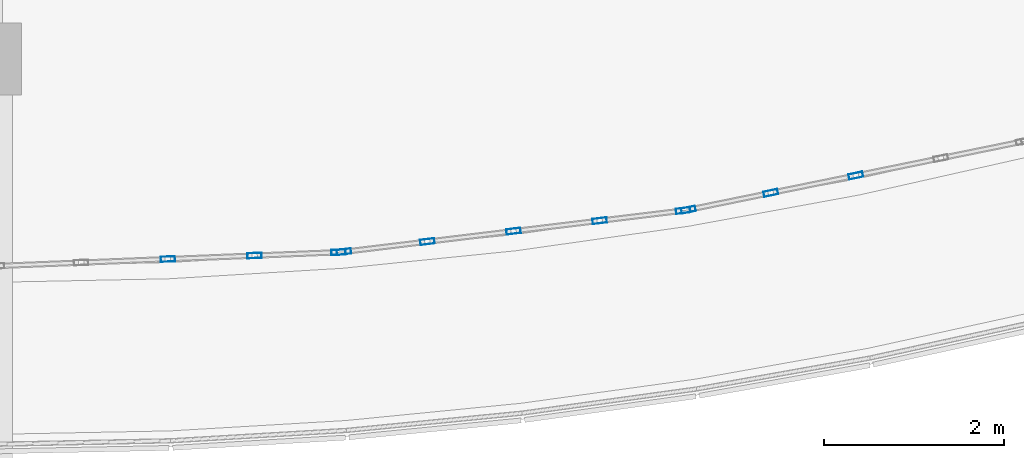
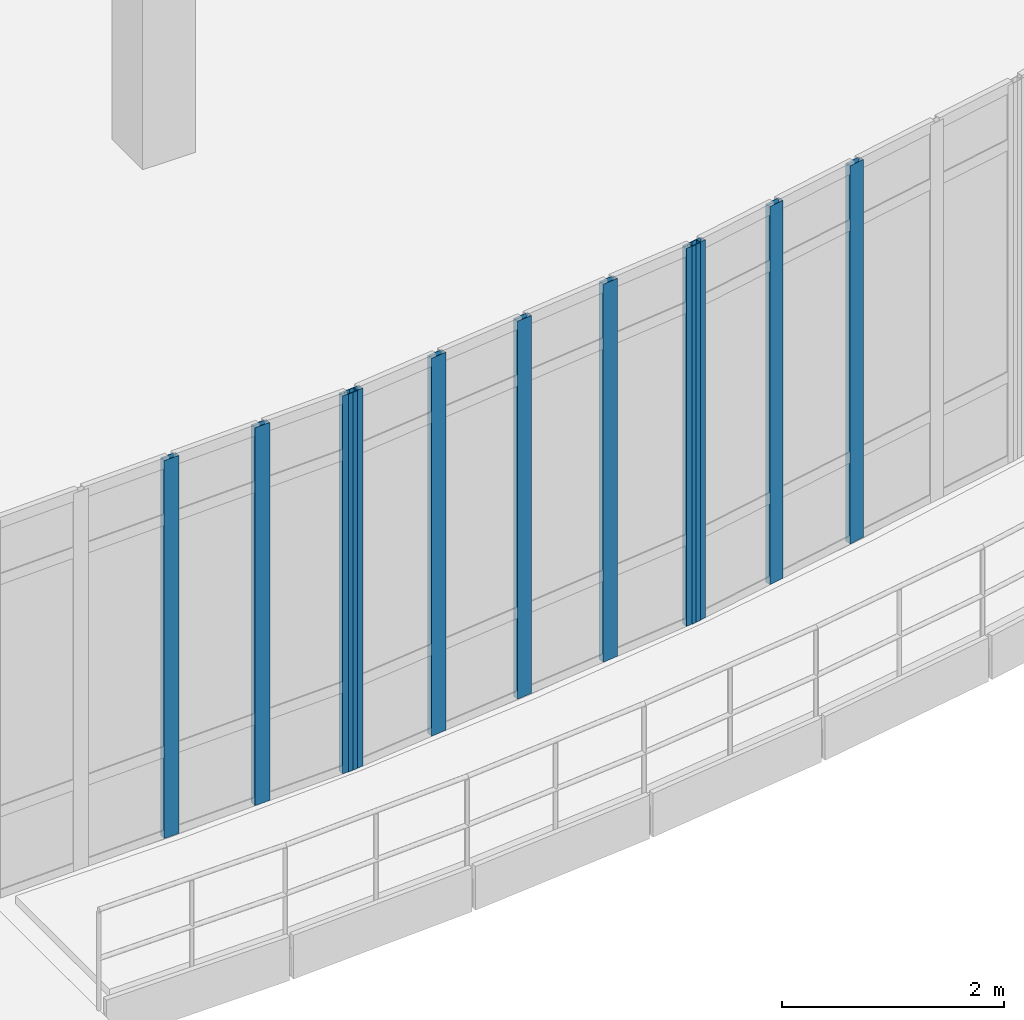
# One storey, part 31 of 124: 11 members, 3 elements without a shape of their own.
"""IFC4 building model written with IfcOpenShell, lengths in metres."""

from ifc_helpers import new_model, si_unit, direction, frame, origin, origin_2d, place, context, subcontext, project, spatial, hollow_rectangle, extrude, material, material_profile, profile_set, type_object, element, aggregate, save


model = new_model("IFC4")

# Units and contexts
model_context = context("Model", 3, precision=1e-05, world=origin(), true_north=direction((0.0, 1.0)))
body_context = subcontext(model_context, "Body", "Model", "MODEL_VIEW")
ifc_project = project(units=[si_unit("LENGTHUNIT", "METRE"), si_unit("AREAUNIT", "SQUARE_METRE"), si_unit("VOLUMEUNIT", "CUBIC_METRE"), si_unit("PLANEANGLEUNIT", "RADIAN"), si_unit("MASSUNIT", "GRAM", prefix="KILO")], contexts=[model_context])

# Site, building, storey
site_placement = place(None, origin())
site = spatial("IfcSite", under=ifc_project, at=site_placement, CompositionType="ELEMENT")
building_placement = place(site_placement, origin())
building = spatial("IfcBuilding", under=site, at=building_placement, Name="Kalluvel Institute of Natural Sciences", CompositionType="ELEMENT")
storey_placement = place(building_placement, frame((0.0, 0.0, 9.89990234375)))
storey = spatial("IfcBuildingStorey", under=building, at=storey_placement, Name="L02", CompositionType="ELEMENT", Elevation=9.89990234375)

# Curtain wall, members
ifc_material = material(Name="Aluminium AW-6063 T6", Category="aluminium")
curtain_wall_type = type_object("IfcCurtainWallType", Name="CW-ATR-ARC", PredefinedType="USERDEFINED", material=ifc_material)
curtain_wall_1_placement = place(storey_placement, origin())
curtain_wall_1 = element("IfcCurtainWall", 1, at=curtain_wall_1_placement, inside=storey, type_object=curtain_wall_type, Name="L02 Gothic lancet curtain wall CWA-L02-X356-Y549", ObjectType="UNITISED LANCET FACADE", PredefinedType="USERDEFINED")
ifc_material_profile = material_profile(ifc_material, hollow_rectangle(XDim=0.06005859375, YDim=0.159912109375, WallThickness=0.00390625, at=origin_2d()), Name="CWM 60x160")
ifc_profile_set = profile_set([ifc_material_profile], Name="Aluminium AW-6063 T6")
member_type = type_object("IfcMemberType", Name="CWM-60x160", PredefinedType="MULLION", material=ifc_profile_set)
member_1_placement = place(storey_placement, frame((37.527099609375, 54.9775390625, 0.0), z_axis=(0.0, 0.0, 1.0), x_axis=(-0.040259992374, 0.999189237839, 0.0)))
member_1 = element("IfcMember", 2, at=member_1_placement, type_object=member_type, Name="CW-05 mullion 3", PredefinedType="MULLION", context=body_context, shape_type="SweptSolid", body=[
    extrude(hollow_rectangle(XDim=0.06005859375, YDim=0.159912109375, WallThickness=0.00390625, at=origin_2d()), origin(), (0.0, 0.0, 1.0), 4.150146484375),
])
member_2_placement = place(storey_placement, frame((38.49072265625, 55.016357421875, 0.0), z_axis=(0.0, 0.0, 1.0), x_axis=(-0.040259992374, 0.999189237839, 0.0)))
member_2 = element("IfcMember", 3, at=member_2_placement, type_object=member_type, Name="CW-05 mullion 4", PredefinedType="MULLION", context=body_context, shape_type="SweptSolid", body=[
    extrude(hollow_rectangle(XDim=0.06005859375, YDim=0.159912109375, WallThickness=0.00390625, at=origin_2d()), origin(), (0.0, 0.0, 1.0), 4.150146484375),
])
member_3_placement = place(storey_placement, frame((39.42431640625, 55.05419921875, 0.0), z_axis=(0.0, 0.0, 1.0), x_axis=(-0.040259992374, 0.999189237839, 0.0)))
member_3 = element("IfcMember", 4, at=member_3_placement, type_object=member_type, Name="CW-05 mullion 5", PredefinedType="MULLION", context=body_context, shape_type="SweptSolid", body=[
    extrude(hollow_rectangle(XDim=0.06005859375, YDim=0.159912109375, WallThickness=0.00390625, at=origin_2d()), origin(), (0.0, 0.0, 1.0), 4.150146484375),
])
aggregate(curtain_wall_1, [member_1, member_2, member_3])

curtain_wall_2_placement = place(storey_placement, origin())
curtain_wall_2 = element("IfcCurtainWall", 5, at=curtain_wall_2_placement, inside=storey, type_object=curtain_wall_type, Name="L02 Gothic lancet curtain wall CWA-L02-X395-Y551", ObjectType="UNITISED LANCET FACADE", PredefinedType="USERDEFINED")
member_4_placement = place(storey_placement, frame((39.484130859375, 55.058837890625, 0.0), z_axis=(0.0, 0.0, 1.0), x_axis=(-0.120543490354, 0.992708047179, 0.0)))
member_4 = element("IfcMember", 6, at=member_4_placement, type_object=member_type, Name="CW-05 mullion 1", PredefinedType="MULLION", context=body_context, shape_type="SweptSolid", body=[
    extrude(hollow_rectangle(XDim=0.06005859375, YDim=0.159912109375, WallThickness=0.00390625, at=origin_2d()), origin(), (0.0, 0.0, 1.0), 4.150146484375),
])
member_5_placement = place(storey_placement, frame((40.41162109375, 55.171630859375, 0.0), z_axis=(0.0, 0.0, 1.0), x_axis=(-0.120543490354, 0.992708047179, 0.0)))
member_5 = element("IfcMember", 7, at=member_5_placement, type_object=member_type, Name="CW-05 mullion 2", PredefinedType="MULLION", context=body_context, shape_type="SweptSolid", body=[
    extrude(hollow_rectangle(XDim=0.06005859375, YDim=0.159912109375, WallThickness=0.00390625, at=origin_2d()), origin(), (0.0, 0.0, 1.0), 4.150146484375),
])
member_6_placement = place(storey_placement, frame((41.368896484375, 55.287841796875, 0.0), z_axis=(0.0, 0.0, 1.0), x_axis=(-0.120543490354, 0.992708047179, 0.0)))
member_6 = element("IfcMember", 8, at=member_6_placement, type_object=member_type, Name="CW-05 mullion 3", PredefinedType="MULLION", context=body_context, shape_type="SweptSolid", body=[
    extrude(hollow_rectangle(XDim=0.06005859375, YDim=0.159912109375, WallThickness=0.00390625, at=origin_2d()), origin(), (0.0, 0.0, 1.0), 4.150146484375),
])
member_7_placement = place(storey_placement, frame((42.326416015625, 55.404052734375, 0.0), z_axis=(0.0, 0.0, 1.0), x_axis=(-0.120543490354, 0.992708047179, 0.0)))
member_7 = element("IfcMember", 9, at=member_7_placement, type_object=member_type, Name="CW-05 mullion 4", PredefinedType="MULLION", context=body_context, shape_type="SweptSolid", body=[
    extrude(hollow_rectangle(XDim=0.06005859375, YDim=0.159912109375, WallThickness=0.00390625, at=origin_2d()), origin(), (0.0, 0.0, 1.0), 4.150146484375),
])
member_8_placement = place(storey_placement, frame((43.25390625, 55.5166015625, 0.0), z_axis=(0.0, 0.0, 1.0), x_axis=(-0.120543490354, 0.992708047179, 0.0)))
member_8 = element("IfcMember", 10, at=member_8_placement, type_object=member_type, Name="CW-05 mullion 5", PredefinedType="MULLION", context=body_context, shape_type="SweptSolid", body=[
    extrude(hollow_rectangle(XDim=0.06005859375, YDim=0.159912109375, WallThickness=0.00390625, at=origin_2d()), origin(), (0.0, 0.0, 1.0), 4.150146484375),
])
aggregate(curtain_wall_2, [member_4, member_5, member_6, member_7, member_8])

curtain_wall_3_placement = place(storey_placement, origin())
curtain_wall_3 = element("IfcCurtainWall", 11, at=curtain_wall_3_placement, inside=storey, type_object=curtain_wall_type, Name="L02 Gothic lancet curtain wall CWA-L02-X433-Y555", ObjectType="UNITISED LANCET FACADE", PredefinedType="USERDEFINED")
member_9_placement = place(storey_placement, frame((43.31298828125, 55.5263671875, 0.0), z_axis=(0.0, 0.0, 1.0), x_axis=(-0.200028070576, 0.979790166812, 0.0)))
member_9 = element("IfcMember", 12, at=member_9_placement, type_object=member_type, Name="CW-05 mullion 1", PredefinedType="MULLION", context=body_context, shape_type="SweptSolid", body=[
    extrude(hollow_rectangle(XDim=0.06005859375, YDim=0.159912109375, WallThickness=0.00390625, at=origin_2d()), origin(), (0.0, 0.0, 1.0), 4.150146484375),
])
member_10_placement = place(storey_placement, frame((44.228515625, 55.713134765625, 0.0), z_axis=(0.0, 0.0, 1.0), x_axis=(-0.200028070576, 0.979790166812, 0.0)))
member_10 = element("IfcMember", 13, at=member_10_placement, type_object=member_type, Name="CW-05 mullion 2", PredefinedType="MULLION", context=body_context, shape_type="SweptSolid", body=[
    extrude(hollow_rectangle(XDim=0.06005859375, YDim=0.159912109375, WallThickness=0.00390625, at=origin_2d()), origin(), (0.0, 0.0, 1.0), 4.150146484375),
])
member_11_placement = place(storey_placement, frame((45.17333984375, 55.906005859375, 0.0), z_axis=(0.0, 0.0, 1.0), x_axis=(-0.200028070576, 0.979790166812, 0.0)))
member_11 = element("IfcMember", 14, at=member_11_placement, type_object=member_type, Name="CW-05 mullion 3", PredefinedType="MULLION", context=body_context, shape_type="SweptSolid", body=[
    extrude(hollow_rectangle(XDim=0.06005859375, YDim=0.159912109375, WallThickness=0.00390625, at=origin_2d()), origin(), (0.0, 0.0, 1.0), 4.150146484375),
])
aggregate(curtain_wall_3, [member_9, member_10, member_11])

save(model, "model.ifc")
